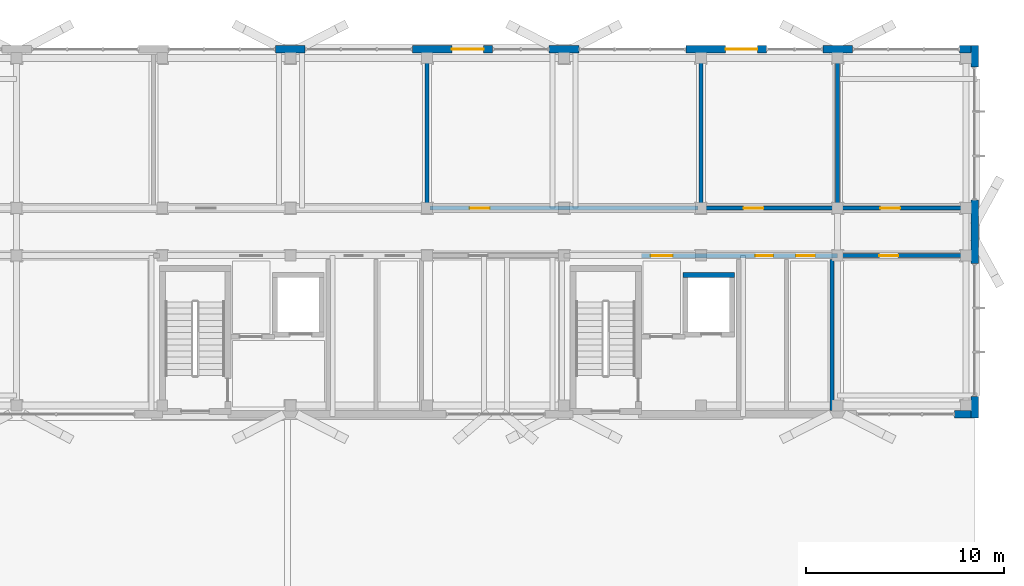
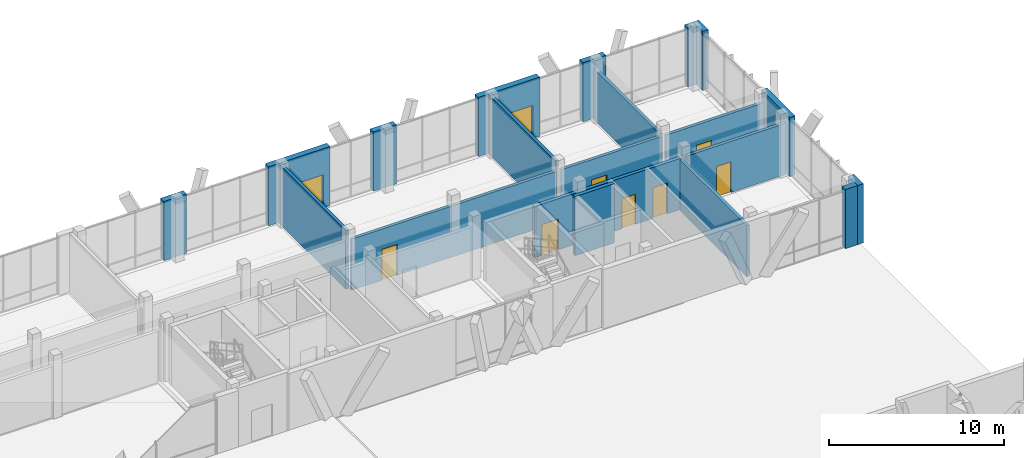
# One storey, part 205 of 233: 20 walls, 9 doors, 9 openings.
"""IFC4 building model written with IfcOpenShell, lengths in metres."""

import ifcopenshell
import ifcopenshell.guid

model = None  # the IFC model being written
_history = None  # IfcOwnerHistory: only IFC2X3 demands one
_inside = {}  # id of a spatial element -> (the spatial element, [elements in it])
_under = {}  # id of a project, library or spatial element -> (it, [spatial elements below it])
_declared = {}  # id of a project -> (the project, [libraries it declares])
_typed = {}  # id of a type object -> (the type object, [elements of that type])
_made_of = {}  # id of a material, layer set ... -> (it, [elements and type objects made of it])


def new_model(schema):
    """Start an empty IFC model of exactly this schema.

    Asked for "IFC4X3", IfcOpenShell would pick the latest addendum, in which some entities
    have other attributes; the version numbers below select the first issue.
    IFC2X3 requires an IfcOwnerHistory on every rooted entity: one is made here for all.
    """
    global model, _history
    if schema == "IFC4X3":
        model = ifcopenshell.file(schema_version=(4, 3, 0, 0))
    else:
        model = ifcopenshell.file(schema=schema)
    _inside.clear()
    _under.clear()
    _declared.clear()
    _typed.clear()
    _made_of.clear()
    _history = None
    if model.schema == "IFC2X3":
        org = make("IfcOrganization", Name="unknown")
        user = make(
            "IfcPersonAndOrganization",
            ThePerson=make("IfcPerson", FamilyName="unknown"),
            TheOrganization=org,
        )
        app = make(
            "IfcApplication",
            ApplicationDeveloper=org,
            Version="unknown",
            ApplicationFullName="unknown",
            ApplicationIdentifier="unknown",
        )
        _history = make(
            "IfcOwnerHistory",
            OwningUser=user,
            OwningApplication=app,
            ChangeAction="ADDED",
            CreationDate=0,
        )
    return model


def make(cls, **values):
    """One entity of the class cls with the attributes given. An attribute that is None is left unset."""
    return model.create_entity(
        cls, **{name: value for name, value in values.items() if value is not None}
    )


def rooted(cls, **values):
    """An entity with a GlobalId (a new one), such as an element, a storey or a relation."""
    return make(cls, GlobalId=ifcopenshell.guid.new(), OwnerHistory=_history, **values)


def si_unit(unit_type, name, prefix=None):
    """IfcSIUnit, for example si_unit("LENGTHUNIT", "METRE", prefix="MILLI")."""
    return make("IfcSIUnit", UnitType=unit_type, Prefix=prefix, Name=name)


def assignment(units):
    """IfcUnitAssignment: the units of a project."""
    return None if units is None else make("IfcUnitAssignment", Units=units)


def point(xyz):
    """IfcCartesianPoint."""
    return None if xyz is None else make("IfcCartesianPoint", Coordinates=xyz)


def direction(xyz):
    """IfcDirection."""
    return None if xyz is None else make("IfcDirection", DirectionRatios=xyz)


def frame(location, z_axis=None, x_axis=None):
    """IfcAxis2Placement3D, a coordinate frame: its origin and axes. An axis left out is left unset."""
    return make(
        "IfcAxis2Placement3D",
        Location=point(location),
        Axis=direction(z_axis),
        RefDirection=direction(x_axis),
    )


def frame_2d(location, x_axis=None):
    """IfcAxis2Placement2D, a coordinate frame in the plane: its origin and x axis."""
    return make(
        "IfcAxis2Placement2D", Location=point(location), RefDirection=direction(x_axis)
    )


def origin():
    """The frame at (0, 0, 0) with its axes left unset."""
    return frame((0.0, 0.0, 0.0))


def origin_with_axes():
    """The frame at (0, 0, 0) with the z axis (0, 0, 1) and the x axis (1, 0, 0) written out."""
    return frame((0.0, 0.0, 0.0), z_axis=(0.0, 0.0, 1.0), x_axis=(1.0, 0.0, 0.0))


def place(relative_to, where):
    """IfcLocalPlacement: puts the frame where relative to a parent placement (None: the world)."""
    return make(
        "IfcLocalPlacement", PlacementRelTo=relative_to, RelativePlacement=where
    )


def context(
    kind, dimensions, precision=None, world=None, true_north=None, identifier=None
):
    """IfcGeometricRepresentationContext, for example the 3D "Model" context."""
    return make(
        "IfcGeometricRepresentationContext",
        ContextIdentifier=identifier,
        ContextType=kind,
        CoordinateSpaceDimension=dimensions,
        Precision=precision,
        WorldCoordinateSystem=world,
        TrueNorth=true_north,
    )


def subcontext(parent, identifier, kind, view, scale=None):
    """IfcGeometricRepresentationSubContext, for example "Body" below "Model"."""
    return make(
        "IfcGeometricRepresentationSubContext",
        ContextIdentifier=identifier,
        ContextType=kind,
        ParentContext=parent,
        TargetScale=scale,
        TargetView=view,
    )


def project(units=None, contexts=None):
    """IfcProject with its units and contexts."""
    return rooted(
        "IfcProject",
        Name="project",
        RepresentationContexts=contexts,
        UnitsInContext=assignment(units),
    )


def spatial(cls, under=None, at=None, **own):
    """A site, building, storey or space (cls), placed at a placement, below another one or the project."""
    s = rooted(cls, ObjectPlacement=at, **own)
    if under is not None:
        _under.setdefault(under.id(), (under, []))[1].append(s)
    return s


def profile(cls, at=None, kind="AREA", **sizes):
    """A parametric profile (cls). Its sizes go by their IFC names, for example OverallWidth=200.0."""
    return make(cls, ProfileType=kind, Position=at, **sizes)


def rectangle(**sizes):
    """IfcRectangleProfileDef."""
    return profile("IfcRectangleProfileDef", **sizes)


def extrude(swept, where, along, depth):
    """IfcExtrudedAreaSolid: the profile swept, set in the frame where, extruded along a direction by depth."""
    return make(
        "IfcExtrudedAreaSolid",
        SweptArea=swept,
        Position=where,
        ExtrudedDirection=direction(along),
        Depth=depth,
    )


def shape(context_of_items, identifier, shape_type, items):
    """IfcShapeRepresentation: the items that make up one representation, for example the "Body"."""
    return make(
        "IfcShapeRepresentation",
        ContextOfItems=context_of_items,
        RepresentationIdentifier=identifier,
        RepresentationType=shape_type,
        Items=items,
    )


def material(Name=None, Category=None):
    """IfcMaterial."""
    return make("IfcMaterial", Name=Name, Category=Category)


def layer(
    of_material, thickness, ventilated=None, Name=None, Category=None, Priority=None
):
    """IfcMaterialLayer: one layer of a wall or slab, of a material (None: an air gap)."""
    return make(
        "IfcMaterialLayer",
        Material=of_material,
        LayerThickness=thickness,
        IsVentilated=ventilated,
        Name=Name,
        Category=Category,
        Priority=Priority,
    )


def layer_set(layers, Name=None):
    """IfcMaterialLayerSet."""
    return make("IfcMaterialLayerSet", MaterialLayers=layers, LayerSetName=Name)


def made_of(thing, what):
    """Note that an element or type object is made of a material, layer set ...; save() writes the relation."""
    if what is not None:
        _made_of.setdefault(what.id(), (what, []))[1].append(thing)
    return thing


def type_object(cls, material=None, **own):
    """A type object (cls), such as IfcWallType, which elements share."""
    return made_of(rooted(cls, **own), material)


def element(
    cls,
    number,
    at=None,
    inside=None,
    cuts=None,
    type_object=None,
    material=None,
    context=None,
    identifier="Body",
    shape_type=None,
    held_by="IfcProductDefinitionShape",
    body=None,
    shapes=None,
    **own,
):
    """One element of the class cls, such as IfcWall. Its Tag is "e" and its number.

    at: its placement. inside: the storey or other place that contains it. cuts: it is an
    opening in that element (IfcRelVoidsElement). A single representation is given by context,
    identifier, shape_type and body (its items); several are given by shapes. held_by: the class
    of the entity that holds the representations. save() writes the other relations.
    """
    e = rooted(cls, Tag="e%d" % number, ObjectPlacement=at, **own)
    if body is not None:
        shapes = [shape(context, identifier, shape_type, body)]
    if shapes is not None:
        e.Representation = make(held_by, Representations=shapes)
    if inside is not None:
        _inside.setdefault(inside.id(), (inside, []))[1].append(e)
    if cuts is not None:
        rooted(
            "IfcRelVoidsElement", RelatingBuildingElement=cuts, RelatedOpeningElement=e
        )
    if type_object is not None:
        _typed.setdefault(type_object.id(), (type_object, []))[1].append(e)
    return made_of(e, material)


def fill(opening, filler):
    """IfcRelFillsElement: the door or window that sits in an opening."""
    return rooted(
        "IfcRelFillsElement",
        RelatingOpeningElement=opening,
        RelatedBuildingElement=filler,
    )


def aggregate(whole, parts):
    """IfcRelAggregates: a whole, such as a stair, and the parts it consists of."""
    return rooted("IfcRelAggregates", RelatingObject=whole, RelatedObjects=parts)


def save(model, path):
    """Write the relations noted so far, then the file.

    IfcRelAggregates (storeys below a building ...), IfcRelContainedInSpatialStructure (elements
    in a storey), IfcRelDefinesByType, IfcRelAssociatesMaterial and IfcRelDeclares: one each for
    every whole, place, type object, material and project.
    """
    for whole, parts in _under.values():
        aggregate(whole, parts)
    for where, things in _inside.values():
        rooted(
            "IfcRelContainedInSpatialStructure",
            RelatedElements=things,
            RelatingStructure=where,
        )
    for kind, things in _typed.values():
        rooted("IfcRelDefinesByType", RelatedObjects=things, RelatingType=kind)
    for what, things in _made_of.values():
        rooted("IfcRelAssociatesMaterial", RelatedObjects=things, RelatingMaterial=what)
    for by, libraries in _declared.values():
        rooted("IfcRelDeclares", RelatingContext=by, RelatedDefinitions=libraries)
    model.write(path)


model = new_model("IFC4")

# Units and contexts
model_context = context("Model", 3, precision=1e-05, world=origin(), true_north=direction((0.0, 1.0)))
body_context = subcontext(model_context, "Body", "Model", "MODEL_VIEW")
ifc_project = project(units=[si_unit("LENGTHUNIT", "METRE"), si_unit("AREAUNIT", "SQUARE_METRE"), si_unit("VOLUMEUNIT", "CUBIC_METRE"), si_unit("PLANEANGLEUNIT", "RADIAN"), si_unit("MASSUNIT", "GRAM", prefix="KILO")], contexts=[model_context])

# Site, building, storey
site_placement = place(None, origin())
site = spatial("IfcSite", under=ifc_project, at=site_placement, CompositionType="ELEMENT")
building_placement = place(site_placement, origin())
building = spatial("IfcBuilding", under=site, at=building_placement, Name="Zavelmont Quarter", CompositionType="ELEMENT")
storey_placement = place(building_placement, origin())
storey = spatial("IfcBuildingStorey", under=building, at=storey_placement, Name="L00", CompositionType="ELEMENT", Elevation=0.0)

# Walls
ifc_material_1 = material(Name="Natural Belgian limestone", Category="masonry")
ifc_layer_1 = layer(ifc_material_1, 0.3798828125)
ifc_layer_set_1 = layer_set([ifc_layer_1], Name="Natural Belgian limestone")
wall_type_1 = type_object("IfcWallType", Name="EW01", PredefinedType="STANDARD", material=ifc_layer_set_1)
wall_1_placement = place(storey_placement, frame((167.0, 97.60009765625, 0.0), z_axis=(0.0, 0.0, 1.0), x_axis=(1.0, 0.0, 0.0)))
element("IfcWall", 1, at=wall_1_placement, inside=storey, type_object=wall_type_1, Name="L00 exterior limestone wall EW01", PredefinedType="STANDARD", context=body_context, shape_type="SweptSolid", body=[
    extrude(rectangle(XDim=0.820068359375, YDim=0.3798828125, at=frame_2d((0.41015625, 0.0))), origin(), (0.0, 0.0, 1.0), 4.1201171875),
])
wall_2_placement = place(storey_placement, frame((132.75, 116.0, 0.0), z_axis=(0.0, 0.0, 1.0), x_axis=(1.0, 0.0, 0.0)))
element("IfcWall", 2, at=wall_2_placement, inside=storey, type_object=wall_type_1, Name="L00 exterior limestone wall EW01", PredefinedType="STANDARD", context=body_context, shape_type="SweptSolid", body=[
    extrude(rectangle(XDim=1.5, YDim=0.3798828125, at=frame_2d((0.75, 0.0))), origin(), (0.0, 0.0, 1.0), 4.1201171875),
])

# Wall, opening, door
wall_3_placement = place(storey_placement, frame((139.64990234375, 116.0, 0.0), z_axis=(0.0, 0.0, 1.0), x_axis=(1.0, 0.0, 0.0)))
wall_3 = element("IfcWall", 3, at=wall_3_placement, inside=storey, type_object=wall_type_1, Name="L00 exterior limestone wall EW01", PredefinedType="STANDARD", context=body_context, shape_type="SweptSolid", body=[
    extrude(rectangle(XDim=4.050048828125, YDim=0.3798828125, at=frame_2d((2.02490234375, 0.0))), origin(), (0.0, 0.0, 1.0), 4.1201171875),
])
opening_1_placement = place(wall_3_placement, frame((2.0, 0.0, 0.0)))
opening_1 = element("IfcOpeningElement", 4, at=opening_1_placement, cuts=wall_3, Name="Opening DR01B", PredefinedType="OPENING", context=body_context, shape_type="SweptSolid", body=[
    extrude(rectangle(XDim=1.60009765625, YDim=2.300048828125, at=frame_2d((0.800048828125, 1.14990234375))), frame((0.0, 0.201904296875, 0.0), z_axis=(0.0, -1.0, 0.0), x_axis=(1.0, 0.0, 0.0)), (0.0, 0.0, 1.0), 0.40380859375),
])
ifc_material_2 = material(Name="Powder-coated aluminium and tempered double safety glass", Category="aluminium")
door_type_1 = type_object("IfcDoorType", Name="DR01B", OperationType="DOUBLE_DOOR_SINGLE_SWING", PredefinedType="DOOR", material=ifc_material_2)
door_1_placement = place(opening_1_placement, origin_with_axes())
door_1 = element("IfcDoor", 5, at=door_1_placement, inside=storey, type_object=door_type_1, Name="Block C street entrance final exit door", OperationType="DOUBLE_DOOR_SINGLE_SWING", OverallHeight=2.300048828125, OverallWidth=1.60009765625, PredefinedType="DOOR", context=body_context, shape_type="SweptSolid", body=[
    extrude(rectangle(XDim=1.60009765625, YDim=2.300048828125, at=frame_2d((0.800048828125, 1.14990234375))), frame((0.0, 0.02490234375, 0.0), z_axis=(0.0, -1.0, 0.0), x_axis=(1.0, 0.0, 0.0)), (0.0, 0.0, 1.0), 0.050048828125),
])
fill(opening_1, door_1)

# Wall
wall_4_placement = place(storey_placement, frame((146.550048828125, 116.0, 0.0), z_axis=(0.0, 0.0, 1.0), x_axis=(1.0, 0.0, 0.0)))
element("IfcWall", 6, at=wall_4_placement, inside=storey, type_object=wall_type_1, Name="L00 exterior limestone wall EW01", PredefinedType="STANDARD", context=body_context, shape_type="SweptSolid", body=[
    extrude(rectangle(XDim=1.5, YDim=0.3798828125, at=frame_2d((0.75, 0.0))), origin(), (0.0, 0.0, 1.0), 4.1201171875),
])

# Wall, opening, door
wall_5_placement = place(storey_placement, frame((153.449951171875, 116.0, 0.0), z_axis=(0.0, 0.0, 1.0), x_axis=(1.0, 0.0, 0.0)))
wall_5 = element("IfcWall", 7, at=wall_5_placement, inside=storey, type_object=wall_type_1, Name="L00 exterior limestone wall EW01", PredefinedType="STANDARD", context=body_context, shape_type="SweptSolid", body=[
    extrude(rectangle(XDim=4.050048828125, YDim=0.3798828125, at=frame_2d((2.02490234375, 0.0))), origin(), (0.0, 0.0, 1.0), 4.1201171875),
])
opening_2_placement = place(wall_5_placement, frame((2.0, 0.0, 0.0)))
opening_2 = element("IfcOpeningElement", 8, at=opening_2_placement, cuts=wall_5, Name="Opening DR01B", PredefinedType="OPENING", context=body_context, shape_type="SweptSolid", body=[
    extrude(rectangle(XDim=1.60009765625, YDim=2.300048828125, at=frame_2d((0.800048828125, 1.14990234375))), frame((0.0, 0.201904296875, 0.0), z_axis=(0.0, -1.0, 0.0), x_axis=(1.0, 0.0, 0.0)), (0.0, 0.0, 1.0), 0.40380859375),
])
door_2_placement = place(opening_2_placement, origin_with_axes())
door_2 = element("IfcDoor", 9, at=door_2_placement, inside=storey, type_object=door_type_1, Name="Block C street entrance final exit door", OperationType="DOUBLE_DOOR_SINGLE_SWING", OverallHeight=2.300048828125, OverallWidth=1.60009765625, PredefinedType="DOOR", context=body_context, shape_type="SweptSolid", body=[
    extrude(rectangle(XDim=1.60009765625, YDim=2.300048828125, at=frame_2d((0.800048828125, 1.14990234375))), frame((0.0, 0.02490234375, 0.0), z_axis=(0.0, -1.0, 0.0), x_axis=(1.0, 0.0, 0.0)), (0.0, 0.0, 1.0), 0.050048828125),
])
fill(opening_2, door_2)

# Walls
wall_6_placement = place(storey_placement, frame((160.35009765625, 116.0, 0.0), z_axis=(0.0, 0.0, 1.0), x_axis=(1.0, 0.0, 0.0)))
element("IfcWall", 10, at=wall_6_placement, inside=storey, type_object=wall_type_1, Name="L00 exterior limestone wall EW01", PredefinedType="STANDARD", context=body_context, shape_type="SweptSolid", body=[
    extrude(rectangle(XDim=1.5, YDim=0.3798828125, at=frame_2d((0.75, 0.0))), origin(), (0.0, 0.0, 1.0), 4.1201171875),
])
wall_7_placement = place(storey_placement, frame((167.25, 116.0, 0.0), z_axis=(0.0, 0.0, 1.0), x_axis=(1.0, 0.0, 0.0)))
element("IfcWall", 11, at=wall_7_placement, inside=storey, type_object=wall_type_1, Name="L00 exterior limestone wall EW01", PredefinedType="STANDARD", context=body_context, shape_type="SweptSolid", body=[
    extrude(rectangle(XDim=0.570068359375, YDim=0.3798828125, at=frame_2d((0.28515625, 0.0))), origin(), (0.0, 0.0, 1.0), 4.1201171875),
])
wall_8_placement = place(storey_placement, frame((168.0, 97.409912109375, 0.0), z_axis=(0.0, 0.0, 1.0), x_axis=(0.0, 1.0, 0.0)))
element("IfcWall", 12, at=wall_8_placement, inside=storey, type_object=wall_type_1, Name="L00 exterior limestone wall EW01", PredefinedType="STANDARD", context=body_context, shape_type="SweptSolid", body=[
    extrude(rectangle(XDim=1.090087890625, YDim=0.3798828125, at=frame_2d((0.544921875, 0.0))), origin(), (0.0, 0.0, 1.0), 4.1201171875),
])
wall_9_placement = place(storey_placement, frame((168.0, 105.199951171875, 0.0), z_axis=(0.0, 0.0, 1.0), x_axis=(0.0, 1.0, 0.0)))
element("IfcWall", 13, at=wall_9_placement, inside=storey, type_object=wall_type_1, Name="L00 exterior limestone wall EW01", PredefinedType="STANDARD", context=body_context, shape_type="SweptSolid", body=[
    extrude(rectangle(XDim=3.199951171875, YDim=0.3798828125, at=frame_2d((1.60009765625, 0.0))), origin(), (0.0, 0.0, 1.0), 4.1201171875),
])
wall_10_placement = place(storey_placement, frame((168.0, 115.10009765625, 0.0), z_axis=(0.0, 0.0, 1.0), x_axis=(0.0, 1.0, 0.0)))
element("IfcWall", 14, at=wall_10_placement, inside=storey, type_object=wall_type_1, Name="L00 exterior limestone wall EW01", PredefinedType="STANDARD", context=body_context, shape_type="SweptSolid", body=[
    extrude(rectangle(XDim=1.08984375, YDim=0.3798828125, at=frame_2d((0.544921875, 0.0))), origin(), (0.0, 0.0, 1.0), 4.1201171875),
])
ifc_material_3 = material(Name="Calcium-silicate blockwork and acoustic plaster", Category="masonry")
ifc_layer_2 = layer(ifc_material_3, 0.199951171875)
ifc_layer_set_2 = layer_set([ifc_layer_2], Name="Calcium-silicate blockwork and acoustic plaster")
wall_type_2 = type_object("IfcWallType", Name="IW01", PredefinedType="PARTITIONING", material=ifc_layer_set_2)
wall_11_placement = place(storey_placement, frame((160.820068359375, 97.800048828125, 0.0), z_axis=(0.0, 0.0, 1.0), x_axis=(0.0, 1.0, 0.0)))
element("IfcWall", 15, at=wall_11_placement, inside=storey, type_object=wall_type_2, Name="L00 Core service end wall IW01", PredefinedType="PARTITIONING", context=body_context, shape_type="SweptSolid", body=[
    extrude(rectangle(XDim=7.599853515625, YDim=0.199951171875, at=frame_2d((3.7998046875, 0.0))), origin(), (0.0, 0.0, 1.0), 3.56005859375),
])
wall_12_placement = place(storey_placement, frame((140.39990234375, 108.14990234375, 0.0), z_axis=(0.0, 0.0, 1.0), x_axis=(0.0, 1.0, 0.0)))
element("IfcWall", 16, at=wall_12_placement, inside=storey, type_object=wall_type_2, Name="L00 Interior partition IW01", PredefinedType="PARTITIONING", context=body_context, shape_type="SweptSolid", body=[
    extrude(rectangle(XDim=7.60009765625, YDim=0.199951171875, at=frame_2d((3.800048828125, 0.0))), origin(), (0.0, 0.0, 1.0), 4.1201171875),
])

# Wall, opening, door
wall_13_placement = place(storey_placement, frame((140.550048828125, 108.0, 0.0), z_axis=(0.0, 0.0, 1.0), x_axis=(1.0, 0.0, 0.0)))
wall_13 = element("IfcWall", 17, at=wall_13_placement, inside=storey, type_object=wall_type_2, Name="L00 Pram and Cycle Room corridor wall IW01", PredefinedType="PARTITIONING", context=body_context, shape_type="SweptSolid", body=[
    extrude(rectangle(XDim=13.5, YDim=0.199951171875, at=frame_2d((6.75, 0.0))), origin(), (0.0, 0.0, 1.0), 3.56005859375),
])
opening_3_placement = place(wall_13_placement, frame((2.0, 0.0, 0.0)))
opening_3 = element("IfcOpeningElement", 18, at=opening_3_placement, cuts=wall_13, Name="Opening DR07", PredefinedType="OPENING", context=body_context, shape_type="SweptSolid", body=[
    extrude(rectangle(XDim=1.0, YDim=2.14990234375, at=frame_2d((0.5, 1.074951171875))), frame((0.0, 0.11181640625, 0.0), z_axis=(0.0, -1.0, 0.0), x_axis=(1.0, 0.0, 0.0)), (0.0, 0.0, 1.0), 0.223876953125),
])
ifc_material_4 = material(Name="Solid-core oak fire leaf in steel frame", Category="steel")
door_type_2 = type_object("IfcDoorType", Name="DR07", OperationType="NOTDEFINED", PredefinedType="DOOR", material=ifc_material_4)
door_3_placement = place(opening_3_placement, frame((1.0, 0.0, 0.0), z_axis=(0.0, 0.0, 1.0), x_axis=(-1.0, 0.0, 0.0)))
door_3 = element("IfcDoor", 19, at=door_3_placement, inside=storey, type_object=door_type_2, Name="L00 door DR07", OperationType="SINGLE_SWING_LEFT", OverallHeight=2.14990234375, OverallWidth=1.0, PredefinedType="DOOR", context=body_context, shape_type="SweptSolid", body=[
    extrude(rectangle(XDim=1.0, YDim=2.14990234375, at=frame_2d((0.5, 1.074951171875))), frame((0.0, 0.02490234375, 0.0), z_axis=(0.0, -1.0, 0.0), x_axis=(1.0, 0.0, 0.0)), (0.0, 0.0, 1.0), 0.050048828125),
])
fill(opening_3, door_3)

# Wall
wall_14_placement = place(storey_placement, frame((154.199951171875, 108.14990234375, 0.0), z_axis=(0.0, 0.0, 1.0), x_axis=(0.0, 1.0, 0.0)))
element("IfcWall", 20, at=wall_14_placement, inside=storey, type_object=wall_type_2, Name="L00 Interior partition IW01", PredefinedType="PARTITIONING", context=body_context, shape_type="SweptSolid", body=[
    extrude(rectangle(XDim=7.60009765625, YDim=0.199951171875, at=frame_2d((3.800048828125, 0.0))), origin(), (0.0, 0.0, 1.0), 4.1201171875),
])

# Wall, opening, door
wall_15_placement = place(storey_placement, frame((154.35009765625, 108.0, 0.0), z_axis=(0.0, 0.0, 1.0), x_axis=(1.0, 0.0, 0.0)))
wall_15 = element("IfcWall", 21, at=wall_15_placement, inside=storey, type_object=wall_type_2, Name="L00 Refuse and Recycling Room corridor wall IW01", PredefinedType="PARTITIONING", context=body_context, shape_type="SweptSolid", body=[
    extrude(rectangle(XDim=6.599853515625, YDim=0.199951171875, at=frame_2d((3.2998046875, 0.0))), origin(), (0.0, 0.0, 1.0), 3.56005859375),
])
opening_4_placement = place(wall_15_placement, frame((2.0, 0.0, 0.0)))
opening_4 = element("IfcOpeningElement", 22, at=opening_4_placement, cuts=wall_15, Name="Opening DR07", PredefinedType="OPENING", context=body_context, shape_type="SweptSolid", body=[
    extrude(rectangle(XDim=1.0, YDim=2.14990234375, at=frame_2d((0.5, 1.074951171875))), frame((0.0, 0.11181640625, 0.0), z_axis=(0.0, -1.0, 0.0), x_axis=(1.0, 0.0, 0.0)), (0.0, 0.0, 1.0), 0.223876953125),
])
door_4_placement = place(opening_4_placement, origin_with_axes())
door_4 = element("IfcDoor", 23, at=door_4_placement, inside=storey, type_object=door_type_2, Name="L00 door DR07", OperationType="SINGLE_SWING_RIGHT", OverallHeight=2.14990234375, OverallWidth=1.0, PredefinedType="DOOR", context=body_context, shape_type="SweptSolid", body=[
    extrude(rectangle(XDim=1.0, YDim=2.14990234375, at=frame_2d((0.5, 1.074951171875))), frame((0.0, 0.02490234375, 0.0), z_axis=(0.0, -1.0, 0.0), x_axis=(1.0, 0.0, 0.0)), (0.0, 0.0, 1.0), 0.050048828125),
])
fill(opening_4, door_4)

# Wall
wall_16_placement = place(storey_placement, frame((161.10009765625, 108.14990234375, 0.0), z_axis=(0.0, 0.0, 1.0), x_axis=(0.0, 1.0, 0.0)))
element("IfcWall", 24, at=wall_16_placement, inside=storey, type_object=wall_type_2, Name="L00 Interior partition IW01", PredefinedType="PARTITIONING", context=body_context, shape_type="SweptSolid", body=[
    extrude(rectangle(XDim=7.60009765625, YDim=0.199951171875, at=frame_2d((3.800048828125, 0.0))), origin(), (0.0, 0.0, 1.0), 3.56005859375),
])

# Wall, opening, door
wall_17_placement = place(storey_placement, frame((161.25, 108.0, 0.0), z_axis=(0.0, 0.0, 1.0), x_axis=(1.0, 0.0, 0.0)))
wall_17 = element("IfcWall", 25, at=wall_17_placement, inside=storey, type_object=wall_type_2, Name="L00 Accessible Toilet corridor wall IW01", PredefinedType="PARTITIONING", context=body_context, shape_type="SweptSolid", body=[
    extrude(rectangle(XDim=6.449951171875, YDim=0.199951171875, at=frame_2d((3.22509765625, 0.0))), origin(), (0.0, 0.0, 1.0), 3.56005859375),
])
opening_5_placement = place(wall_17_placement, frame((2.0, 0.0, 0.0)))
opening_5 = element("IfcOpeningElement", 26, at=opening_5_placement, cuts=wall_17, Name="Opening DR07", PredefinedType="OPENING", context=body_context, shape_type="SweptSolid", body=[
    extrude(rectangle(XDim=1.0, YDim=2.14990234375, at=frame_2d((0.5, 1.074951171875))), frame((0.0, 0.11181640625, 0.0), z_axis=(0.0, -1.0, 0.0), x_axis=(1.0, 0.0, 0.0)), (0.0, 0.0, 1.0), 0.223876953125),
])
door_5_placement = place(opening_5_placement, frame((1.0, 0.0, 0.0), z_axis=(0.0, 0.0, 1.0), x_axis=(-1.0, 0.0, 0.0)))
door_5 = element("IfcDoor", 27, at=door_5_placement, inside=storey, type_object=door_type_2, Name="L00 door DR07", OperationType="SINGLE_SWING_LEFT", OverallHeight=2.14990234375, OverallWidth=1.0, PredefinedType="DOOR", context=body_context, shape_type="SweptSolid", body=[
    extrude(rectangle(XDim=1.0, YDim=2.14990234375, at=frame_2d((0.5, 1.074951171875))), frame((0.0, 0.02490234375, 0.0), z_axis=(0.0, -1.0, 0.0), x_axis=(1.0, 0.0, 0.0)), (0.0, 0.0, 1.0), 0.050048828125),
])
fill(opening_5, door_5)

wall_18_placement = place(storey_placement, frame((161.300048828125, 105.60009765625, 0.0), z_axis=(0.0, 0.0, 1.0), x_axis=(1.0, 0.0, 0.0)))
wall_18 = element("IfcWall", 28, at=wall_18_placement, inside=storey, type_object=wall_type_2, Name="L00 Interior partition IW01", PredefinedType="PARTITIONING", context=body_context, shape_type="SweptSolid", body=[
    extrude(rectangle(XDim=6.449951171875, YDim=0.199951171875, at=frame_2d((3.22509765625, 0.0))), origin(), (0.0, 0.0, 1.0), 3.56005859375),
])
opening_6_placement = place(wall_18_placement, frame((1.89990234375, 0.0, 0.0)))
opening_6 = element("IfcOpeningElement", 29, at=opening_6_placement, cuts=wall_18, Name="Opening DR02", PredefinedType="OPENING", context=body_context, shape_type="SweptSolid", body=[
    extrude(rectangle(XDim=0.949951171875, YDim=2.14990234375, at=frame_2d((0.47509765625, 1.074951171875))), frame((0.0, 0.11181640625, 0.0), z_axis=(0.0, -1.0, 0.0), x_axis=(1.0, 0.0, 0.0)), (0.0, 0.0, 1.0), 0.223876953125),
])
door_type_3 = type_object("IfcDoorType", Name="DR02", OperationType="NOTDEFINED", PredefinedType="DOOR", material=ifc_material_4)
door_6_placement = place(opening_6_placement, origin_with_axes())
door_6 = element("IfcDoor", 30, at=door_6_placement, inside=storey, type_object=door_type_3, Name="L00 door DR02", OperationType="SINGLE_SWING_LEFT", OverallHeight=2.14990234375, OverallWidth=0.949951171875, PredefinedType="DOOR", context=body_context, shape_type="SweptSolid", body=[
    extrude(rectangle(XDim=0.949951171875, YDim=2.14990234375, at=frame_2d((0.47509765625, 1.074951171875))), frame((0.0, 0.02490234375, 0.0), z_axis=(0.0, -1.0, 0.0), x_axis=(1.0, 0.0, 0.0)), (0.0, 0.0, 1.0), 0.050048828125),
])
fill(opening_6, door_6)

# Wall, openings, doors
ifc_material_5 = material(Name="Reinforced masonry fire compartment wall", Category="masonry")
ifc_layer_3 = layer(ifc_material_5, 0.22509765625)
ifc_layer_set_3 = layer_set([ifc_layer_3], Name="Reinforced masonry fire compartment wall")
wall_type_3 = type_object("IfcWallType", Name="IW02", PredefinedType="PARTITIONING", material=ifc_layer_set_3)
wall_19_placement = place(storey_placement, frame((151.199951171875, 105.60009765625, 0.0), z_axis=(0.0, 0.0, 1.0), x_axis=(1.0, 0.0, 0.0)))
wall_19 = element("IfcWall", 31, at=wall_19_placement, inside=storey, type_object=wall_type_3, Name="L00 Core corridor fire wall IW02", PredefinedType="PARTITIONING", context=body_context, shape_type="SweptSolid", body=[
    extrude(rectangle(XDim=9.900146484375, YDim=0.22509765625, at=frame_2d((4.9501953125, 0.0))), origin(), (0.0, 0.0, 1.0), 3.56005859375),
])
opening_7_placement = place(wall_19_placement, frame((0.47509765625, 0.0, 0.0)))
opening_7 = element("IfcOpeningElement", 32, at=opening_7_placement, cuts=wall_19, Name="Opening DR10", PredefinedType="OPENING", context=body_context, shape_type="SweptSolid", body=[
    extrude(rectangle(XDim=1.10009765625, YDim=2.14990234375, at=frame_2d((0.550048828125, 1.074951171875))), frame((0.0, 0.12451171875, 0.0), z_axis=(0.0, -1.0, 0.0), x_axis=(1.0, 0.0, 0.0)), (0.0, 0.0, 1.0), 0.2490234375),
])
opening_8_placement = place(wall_19_placement, frame((5.75, 0.0, 0.0)))
opening_8 = element("IfcOpeningElement", 33, at=opening_8_placement, cuts=wall_19, Name="Opening DR11", PredefinedType="OPENING", context=body_context, shape_type="SweptSolid", body=[
    extrude(rectangle(XDim=0.89990234375, YDim=2.10009765625, at=frame_2d((0.449951171875, 1.050048828125))), frame((0.0, 0.12451171875, 0.0), z_axis=(0.0, -1.0, 0.0), x_axis=(1.0, 0.0, 0.0)), (0.0, 0.0, 1.0), 0.2490234375),
])
opening_9_placement = place(wall_19_placement, frame((7.800048828125, 0.0, 0.0)))
opening_9 = element("IfcOpeningElement", 34, at=opening_9_placement, cuts=wall_19, Name="Opening DR02", PredefinedType="OPENING", context=body_context, shape_type="SweptSolid", body=[
    extrude(rectangle(XDim=0.949951171875, YDim=2.14990234375, at=frame_2d((0.47509765625, 1.074951171875))), frame((0.0, 0.12451171875, 0.0), z_axis=(0.0, -1.0, 0.0), x_axis=(1.0, 0.0, 0.0)), (0.0, 0.0, 1.0), 0.2490234375),
])
door_7_placement = place(opening_9_placement, origin_with_axes())
door_7 = element("IfcDoor", 35, at=door_7_placement, inside=storey, type_object=door_type_3, Name="Auxiliary store corridor door", OperationType="SINGLE_SWING_RIGHT", OverallHeight=2.14990234375, OverallWidth=0.949951171875, PredefinedType="DOOR", context=body_context, shape_type="SweptSolid", body=[
    extrude(rectangle(XDim=0.949951171875, YDim=2.14990234375, at=frame_2d((0.47509765625, 1.074951171875))), frame((0.0, 0.02490234375, 0.0), z_axis=(0.0, -1.0, 0.0), x_axis=(1.0, 0.0, 0.0)), (0.0, 0.0, 1.0), 0.050048828125),
])
fill(opening_9, door_7)
ifc_material_6 = material(Name="Painted steel lobby fire door", Category="steel")
door_type_4 = type_object("IfcDoorType", Name="DR10", OperationType="NOTDEFINED", PredefinedType="DOOR", material=ifc_material_6)
door_8_placement = place(opening_7_placement, frame((1.10009765625, 0.0, 0.0), z_axis=(0.0, 0.0, 1.0), x_axis=(-1.0, 0.0, 0.0)))
door_8 = element("IfcDoor", 36, at=door_8_placement, inside=storey, type_object=door_type_4, Name="Core vestibule fire door", OperationType="SINGLE_SWING_RIGHT", OverallHeight=2.14990234375, OverallWidth=1.10009765625, PredefinedType="DOOR", context=body_context, shape_type="SweptSolid", body=[
    extrude(rectangle(XDim=1.10009765625, YDim=2.14990234375, at=frame_2d((0.550048828125, 1.074951171875))), frame((0.0, 0.02490234375, 0.0), z_axis=(0.0, -1.0, 0.0), x_axis=(1.0, 0.0, 0.0)), (0.0, 0.0, 1.0), 0.050048828125),
])
fill(opening_7, door_8)
ifc_material_7 = material(Name="Painted steel service-riser fire door", Category="steel")
door_type_5 = type_object("IfcDoorType", Name="DR11", OperationType="NOTDEFINED", PredefinedType="DOOR", material=ifc_material_7)
door_9_placement = place(opening_8_placement, origin_with_axes())
door_9 = element("IfcDoor", 37, at=door_9_placement, inside=storey, type_object=door_type_5, Name="Service riser fire door", OperationType="SINGLE_SWING_LEFT", OverallHeight=2.10009765625, OverallWidth=0.89990234375, PredefinedType="DOOR", context=body_context, shape_type="SweptSolid", body=[
    extrude(rectangle(XDim=0.89990234375, YDim=2.10009765625, at=frame_2d((0.449951171875, 1.050048828125))), frame((0.0, 0.02490234375, 0.0), z_axis=(0.0, -1.0, 0.0), x_axis=(1.0, 0.0, 0.0)), (0.0, 0.0, 1.0), 0.050048828125),
])
fill(opening_8, door_9)

# Wall
ifc_material_8 = material(Name="Concrete C40/50", Category="concrete")
ifc_layer_4 = layer(ifc_material_8, 0.25)
ifc_layer_set_4 = layer_set([ifc_layer_4], Name="Concrete C40/50")
wall_type_4 = type_object("IfcWallType", Name="SW02", PredefinedType="SHEAR", material=ifc_layer_set_4)
wall_20_placement = place(storey_placement, frame((153.300048828125, 104.625, 0.0), z_axis=(0.0, 0.0, 1.0), x_axis=(1.0, 0.0, 0.0)))
element("IfcWall", 38, at=wall_20_placement, inside=storey, type_object=wall_type_4, Name="L00 Lift LF06 back shaft wall SW02", PredefinedType="SHEAR", context=body_context, shape_type="SweptSolid", body=[
    extrude(rectangle(XDim=2.599853515625, YDim=0.25, at=frame_2d((1.2998046875, 0.0))), origin(), (0.0, 0.0, 1.0), 4.1201171875),
])

save(model, "model.ifc")
